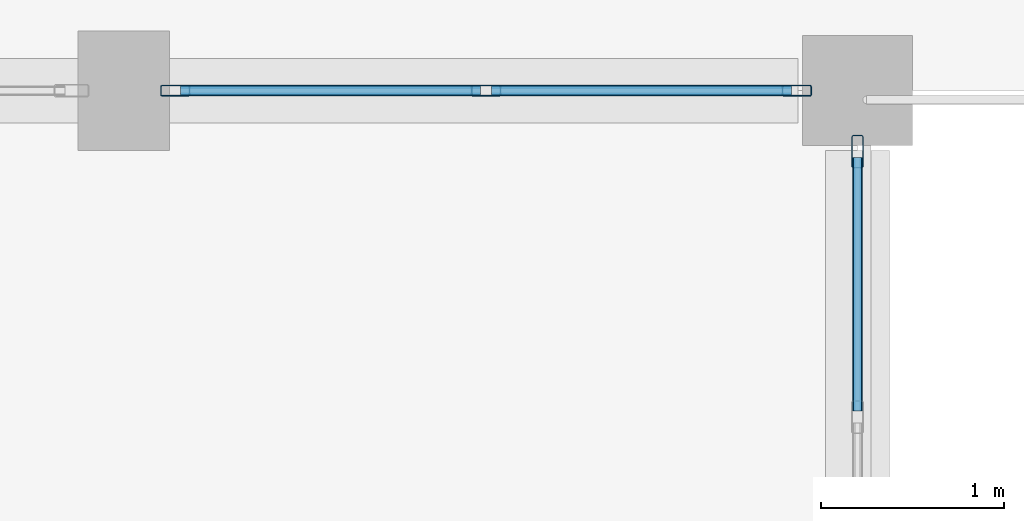
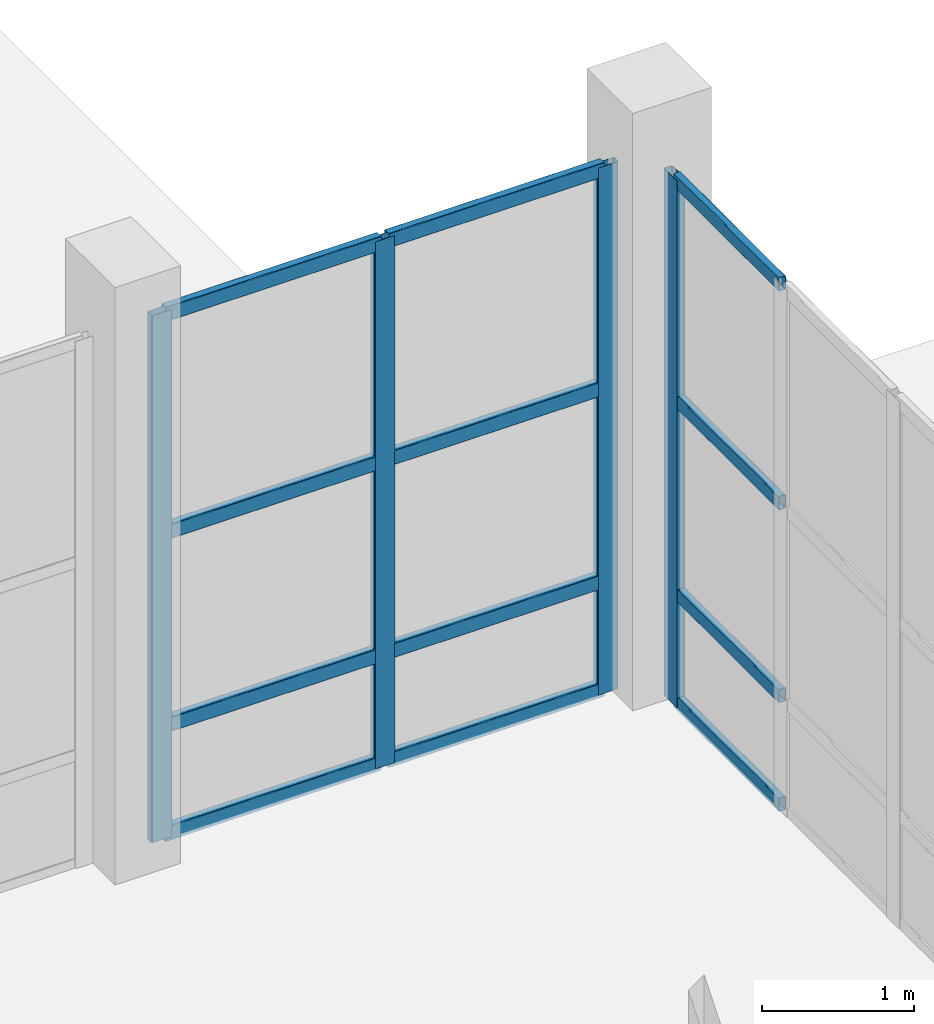
# One storey, part 26 of 156: 16 members, 2 elements without a shape of their own.
"""IFC4 building model written with IfcOpenShell, lengths in metres."""

from ifc_helpers import new_model, si_unit, direction, frame, origin, origin_2d, place, context, subcontext, project, spatial, hollow_rectangle, extrude, material, material_profile, profile_set, type_object, element, aggregate, save


model = new_model("IFC4")

# Units and contexts
model_context = context("Model", 3, precision=1e-05, world=origin(), true_north=direction((0.0, 1.0)))
body_context = subcontext(model_context, "Body", "Model", "MODEL_VIEW")
ifc_project = project(units=[si_unit("LENGTHUNIT", "METRE"), si_unit("AREAUNIT", "SQUARE_METRE"), si_unit("VOLUMEUNIT", "CUBIC_METRE"), si_unit("PLANEANGLEUNIT", "RADIAN"), si_unit("MASSUNIT", "GRAM", prefix="KILO")], contexts=[model_context])

# Site, building, storey
site_placement = place(None, origin())
site = spatial("IfcSite", under=ifc_project, at=site_placement, CompositionType="ELEMENT")
building_placement = place(site_placement, origin())
building = spatial("IfcBuilding", under=site, at=building_placement, Name="Luwemba Playhouse", CompositionType="ELEMENT")
storey_placement = place(building_placement, origin())
storey = spatial("IfcBuildingStorey", under=building, at=storey_placement, Name="L00", CompositionType="ELEMENT", Elevation=0.0)

# Curtain wall, members
ifc_material_1 = material(Name="Solar-control double glazing", Category="glass")
curtain_wall_type_1 = type_object("IfcCurtainWallType", Name="CW-CW15", PredefinedType="USERDEFINED", material=ifc_material_1)
curtain_wall_1_placement = place(storey_placement, origin())
curtain_wall_1 = element("IfcCurtainWall", 1, at=curtain_wall_1_placement, inside=storey, type_object=curtain_wall_type_1, Name="L00 V5W unitised curtain wall 039", ObjectType="UNITISED GLAZING", PredefinedType="USERDEFINED")
ifc_material_2 = material(Name="Aluminium 6063-T6", Category="aluminium")
ifc_material_profile_1 = material_profile(ifc_material_2, hollow_rectangle(XDim=0.06005859375, YDim=0.159912109375, WallThickness=0.00390625, InnerFilletRadius=0.006103515625, OuterFilletRadius=0.010009765625, at=origin_2d()))
ifc_profile_set_1 = profile_set([ifc_material_profile_1], Name="Aluminium 6063-T6")
member_type_1 = type_object("IfcMemberType", Name="CWM-M1", PredefinedType="MULLION", material=ifc_profile_set_1)
member_1_placement = place(storey_placement, frame((56.280029296875, 27.0, 0.0), z_axis=(0.0, 0.0, 1.0), x_axis=(0.0, 1.0, 0.0)))
member_1 = element("IfcMember", 2, at=member_1_placement, type_object=member_type_1, Name="CW15 mullion 1", PredefinedType="MULLION", context=body_context, shape_type="SweptSolid", body=[
    extrude(hollow_rectangle(XDim=0.06005859375, YDim=0.159912109375, WallThickness=0.00390625, InnerFilletRadius=0.006103515625, OuterFilletRadius=0.010009765625, at=origin_2d()), origin(), (0.0, 0.0, 1.0), 4.235107421875),
])
member_2_placement = place(storey_placement, frame((57.97509765625, 27.0, 0.0), z_axis=(0.0, 0.0, 1.0), x_axis=(0.0, 1.0, 0.0)))
member_2 = element("IfcMember", 3, at=member_2_placement, type_object=member_type_1, Name="CW15 mullion 2", PredefinedType="MULLION", context=body_context, shape_type="SweptSolid", body=[
    extrude(hollow_rectangle(XDim=0.06005859375, YDim=0.159912109375, WallThickness=0.00390625, InnerFilletRadius=0.006103515625, OuterFilletRadius=0.010009765625, at=origin_2d()), origin(), (0.0, 0.0, 1.0), 4.235107421875),
])
member_3_placement = place(storey_placement, frame((59.669921875, 27.0, 0.0), z_axis=(0.0, 0.0, 1.0), x_axis=(0.0, 1.0, 0.0)))
member_3 = element("IfcMember", 4, at=member_3_placement, type_object=member_type_1, Name="CW15 mullion 3", PredefinedType="MULLION", context=body_context, shape_type="SweptSolid", body=[
    extrude(hollow_rectangle(XDim=0.06005859375, YDim=0.159912109375, WallThickness=0.00390625, InnerFilletRadius=0.006103515625, OuterFilletRadius=0.010009765625, at=origin_2d()), origin(), (0.0, 0.0, 1.0), 4.235107421875),
])

# Curtain wall, member
curtain_wall_type_2 = type_object("IfcCurtainWallType", Name="CW-CW36", PredefinedType="USERDEFINED", material=ifc_material_1)
curtain_wall_2_placement = place(storey_placement, origin())
curtain_wall_2 = element("IfcCurtainWall", 5, at=curtain_wall_2_placement, inside=storey, type_object=curtain_wall_type_2, Name="L00 V5W unitised curtain wall 040", ObjectType="UNITISED GLAZING", PredefinedType="USERDEFINED")
ifc_material_profile_2 = material_profile(ifc_material_2, hollow_rectangle(XDim=0.06494140625, YDim=0.179931640625, WallThickness=0.00439453125, InnerFilletRadius=0.0068359375, OuterFilletRadius=0.01123046875, at=origin_2d()))
ifc_profile_set_2 = profile_set([ifc_material_profile_2], Name="Aluminium 6063-T6")
member_type_2 = type_object("IfcMemberType", Name="CWM-M2", PredefinedType="MULLION", material=ifc_profile_set_2)
member_4_placement = place(storey_placement, frame((60.0, 26.66748046875, 0.0), z_axis=(0.0, 0.0, 1.0), x_axis=(1.0, 0.0, 0.0)))
member_4 = element("IfcMember", 6, at=member_4_placement, type_object=member_type_2, Name="CW36 mullion 1", PredefinedType="MULLION", context=body_context, shape_type="SweptSolid", body=[
    extrude(hollow_rectangle(XDim=0.06494140625, YDim=0.179931640625, WallThickness=0.00439453125, InnerFilletRadius=0.0068359375, OuterFilletRadius=0.01123046875, at=origin_2d()), origin(), (0.0, 0.0, 1.0), 4.235107421875),
])

# Member
ifc_material_profile_3 = material_profile(ifc_material_2, hollow_rectangle(XDim=0.06005859375, YDim=0.1201171875, WallThickness=0.00390625, InnerFilletRadius=0.006103515625, OuterFilletRadius=0.010009765625, at=origin_2d()))
ifc_profile_set_3 = profile_set([ifc_material_profile_3], Name="Aluminium 6063-T6")
member_type_3 = type_object("IfcMemberType", Name="CWT-T1", PredefinedType="USERDEFINED", material=ifc_profile_set_3)
member_5_placement = place(storey_placement, frame((56.31005859375, 27.0, 0.030029296875), z_axis=(1.0, 0.0, 0.0), x_axis=(0.0, 1.0, 0.0)))
member_5 = element("IfcMember", 7, at=member_5_placement, type_object=member_type_3, Name="CW15 transom 1.1", ObjectType="TRANSOM", PredefinedType="USERDEFINED", context=body_context, shape_type="SweptSolid", body=[
    extrude(hollow_rectangle(XDim=0.06005859375, YDim=0.1201171875, WallThickness=0.00390625, InnerFilletRadius=0.006103515625, OuterFilletRadius=0.010009765625, at=origin_2d()), origin(), (0.0, 0.0, 1.0), 1.635009765625),
])

member_6_placement = place(storey_placement, frame((56.31005859375, 27.0, 0.89990234375), z_axis=(1.0, 0.0, 0.0), x_axis=(0.0, 1.0, 0.0)))
member_6 = element("IfcMember", 8, at=member_6_placement, type_object=member_type_3, Name="CW15 transom 1.2", ObjectType="TRANSOM", PredefinedType="USERDEFINED", context=body_context, shape_type="SweptSolid", body=[
    extrude(hollow_rectangle(XDim=0.06005859375, YDim=0.1201171875, WallThickness=0.00390625, InnerFilletRadius=0.006103515625, OuterFilletRadius=0.010009765625, at=origin_2d()), origin(), (0.0, 0.0, 1.0), 1.635009765625),
])

member_7_placement = place(storey_placement, frame((56.31005859375, 27.0, 2.449951171875), z_axis=(1.0, 0.0, 0.0), x_axis=(0.0, 1.0, 0.0)))
member_7 = element("IfcMember", 9, at=member_7_placement, type_object=member_type_3, Name="CW15 transom 1.3", ObjectType="TRANSOM", PredefinedType="USERDEFINED", context=body_context, shape_type="SweptSolid", body=[
    extrude(hollow_rectangle(XDim=0.06005859375, YDim=0.1201171875, WallThickness=0.00390625, InnerFilletRadius=0.006103515625, OuterFilletRadius=0.010009765625, at=origin_2d()), origin(), (0.0, 0.0, 1.0), 1.635009765625),
])

member_8_placement = place(storey_placement, frame((56.31005859375, 27.0, 4.205078125), z_axis=(1.0, 0.0, 0.0), x_axis=(0.0, 1.0, 0.0)))
member_8 = element("IfcMember", 10, at=member_8_placement, type_object=member_type_3, Name="CW15 transom 1.4", ObjectType="TRANSOM", PredefinedType="USERDEFINED", context=body_context, shape_type="SweptSolid", body=[
    extrude(hollow_rectangle(XDim=0.06005859375, YDim=0.1201171875, WallThickness=0.00390625, InnerFilletRadius=0.006103515625, OuterFilletRadius=0.010009765625, at=origin_2d()), origin(), (0.0, 0.0, 1.0), 1.635009765625),
])

member_9_placement = place(storey_placement, frame((58.0048828125, 27.0, 0.030029296875), z_axis=(1.0, 0.0, 0.0), x_axis=(0.0, 1.0, 0.0)))
member_9 = element("IfcMember", 11, at=member_9_placement, type_object=member_type_3, Name="CW15 transom 2.1", ObjectType="TRANSOM", PredefinedType="USERDEFINED", context=body_context, shape_type="SweptSolid", body=[
    extrude(hollow_rectangle(XDim=0.06005859375, YDim=0.1201171875, WallThickness=0.00390625, InnerFilletRadius=0.006103515625, OuterFilletRadius=0.010009765625, at=origin_2d()), origin(), (0.0, 0.0, 1.0), 1.635009765625),
])

member_10_placement = place(storey_placement, frame((58.0048828125, 27.0, 0.89990234375), z_axis=(1.0, 0.0, 0.0), x_axis=(0.0, 1.0, 0.0)))
member_10 = element("IfcMember", 12, at=member_10_placement, type_object=member_type_3, Name="CW15 transom 2.2", ObjectType="TRANSOM", PredefinedType="USERDEFINED", context=body_context, shape_type="SweptSolid", body=[
    extrude(hollow_rectangle(XDim=0.06005859375, YDim=0.1201171875, WallThickness=0.00390625, InnerFilletRadius=0.006103515625, OuterFilletRadius=0.010009765625, at=origin_2d()), origin(), (0.0, 0.0, 1.0), 1.635009765625),
])

member_11_placement = place(storey_placement, frame((58.0048828125, 27.0, 2.449951171875), z_axis=(1.0, 0.0, 0.0), x_axis=(0.0, 1.0, 0.0)))
member_11 = element("IfcMember", 13, at=member_11_placement, type_object=member_type_3, Name="CW15 transom 2.3", ObjectType="TRANSOM", PredefinedType="USERDEFINED", context=body_context, shape_type="SweptSolid", body=[
    extrude(hollow_rectangle(XDim=0.06005859375, YDim=0.1201171875, WallThickness=0.00390625, InnerFilletRadius=0.006103515625, OuterFilletRadius=0.010009765625, at=origin_2d()), origin(), (0.0, 0.0, 1.0), 1.635009765625),
])

member_12_placement = place(storey_placement, frame((58.0048828125, 27.0, 4.205078125), z_axis=(1.0, 0.0, 0.0), x_axis=(0.0, 1.0, 0.0)))
member_12 = element("IfcMember", 14, at=member_12_placement, type_object=member_type_3, Name="CW15 transom 2.4", ObjectType="TRANSOM", PredefinedType="USERDEFINED", context=body_context, shape_type="SweptSolid", body=[
    extrude(hollow_rectangle(XDim=0.06005859375, YDim=0.1201171875, WallThickness=0.00390625, InnerFilletRadius=0.006103515625, OuterFilletRadius=0.010009765625, at=origin_2d()), origin(), (0.0, 0.0, 1.0), 1.635009765625),
])

aggregate(curtain_wall_1, [member_1, member_2, member_3, member_5, member_6, member_7, member_8, member_9, member_10, member_11, member_12])

ifc_material_profile_4 = material_profile(ifc_material_2, hollow_rectangle(XDim=0.054931640625, YDim=0.110107421875, WallThickness=0.00341796875, InnerFilletRadius=0.00537109375, OuterFilletRadius=0.0087890625, at=origin_2d()))
ifc_profile_set_4 = profile_set([ifc_material_profile_4], Name="Aluminium 6063-T6")
member_type_4 = type_object("IfcMemberType", Name="CWT-T2", PredefinedType="USERDEFINED", material=ifc_profile_set_4)
member_13_placement = place(storey_placement, frame((60.0, 26.635009765625, 0.027587890625), z_axis=(0.0, -1.0, 0.0), x_axis=(1.0, 0.0, 0.0)))
member_13 = element("IfcMember", 15, at=member_13_placement, type_object=member_type_4, Name="CW36 transom 1.1", ObjectType="TRANSOM", PredefinedType="USERDEFINED", context=body_context, shape_type="SweptSolid", body=[
    extrude(hollow_rectangle(XDim=0.054931640625, YDim=0.110107421875, WallThickness=0.00341796875, InnerFilletRadius=0.00537109375, OuterFilletRadius=0.0087890625, at=origin_2d()), origin(), (0.0, 0.0, 1.0), 1.382568359375),
])

member_14_placement = place(storey_placement, frame((60.0, 26.635009765625, 0.89990234375), z_axis=(0.0, -1.0, 0.0), x_axis=(1.0, 0.0, 0.0)))
member_14 = element("IfcMember", 16, at=member_14_placement, type_object=member_type_4, Name="CW36 transom 1.2", ObjectType="TRANSOM", PredefinedType="USERDEFINED", context=body_context, shape_type="SweptSolid", body=[
    extrude(hollow_rectangle(XDim=0.054931640625, YDim=0.110107421875, WallThickness=0.00341796875, InnerFilletRadius=0.00537109375, OuterFilletRadius=0.0087890625, at=origin_2d()), origin(), (0.0, 0.0, 1.0), 1.382568359375),
])

member_15_placement = place(storey_placement, frame((60.0, 26.635009765625, 2.449951171875), z_axis=(0.0, -1.0, 0.0), x_axis=(1.0, 0.0, 0.0)))
member_15 = element("IfcMember", 17, at=member_15_placement, type_object=member_type_4, Name="CW36 transom 1.3", ObjectType="TRANSOM", PredefinedType="USERDEFINED", context=body_context, shape_type="SweptSolid", body=[
    extrude(hollow_rectangle(XDim=0.054931640625, YDim=0.110107421875, WallThickness=0.00341796875, InnerFilletRadius=0.00537109375, OuterFilletRadius=0.0087890625, at=origin_2d()), origin(), (0.0, 0.0, 1.0), 1.382568359375),
])

member_16_placement = place(storey_placement, frame((60.0, 26.635009765625, 4.20751953125), z_axis=(0.0, -1.0, 0.0), x_axis=(1.0, 0.0, 0.0)))
member_16 = element("IfcMember", 18, at=member_16_placement, type_object=member_type_4, Name="CW36 transom 1.4", ObjectType="TRANSOM", PredefinedType="USERDEFINED", context=body_context, shape_type="SweptSolid", body=[
    extrude(hollow_rectangle(XDim=0.054931640625, YDim=0.110107421875, WallThickness=0.00341796875, InnerFilletRadius=0.00537109375, OuterFilletRadius=0.0087890625, at=origin_2d()), origin(), (0.0, 0.0, 1.0), 1.382568359375),
])

aggregate(curtain_wall_2, [member_4, member_13, member_14, member_15, member_16])

save(model, "model.ifc")
